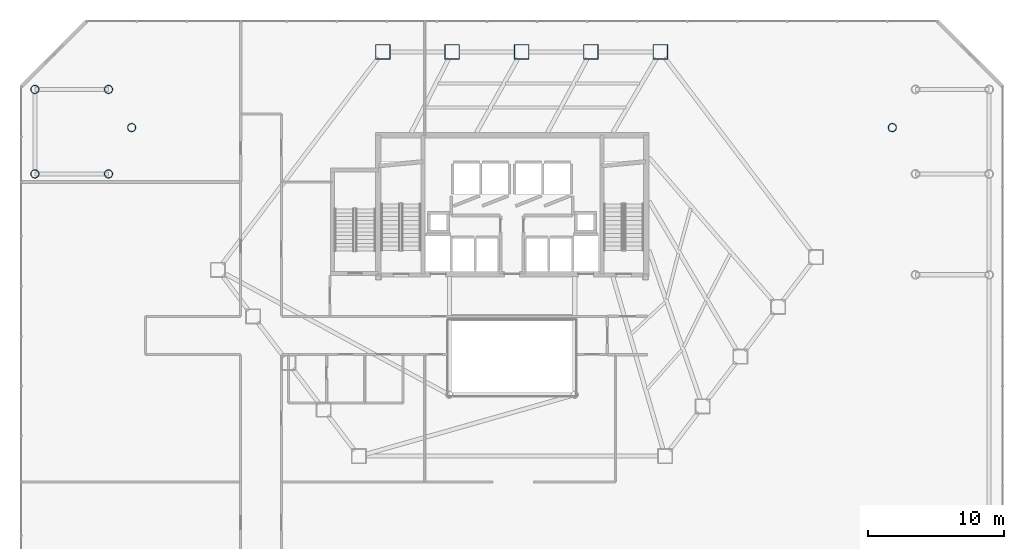
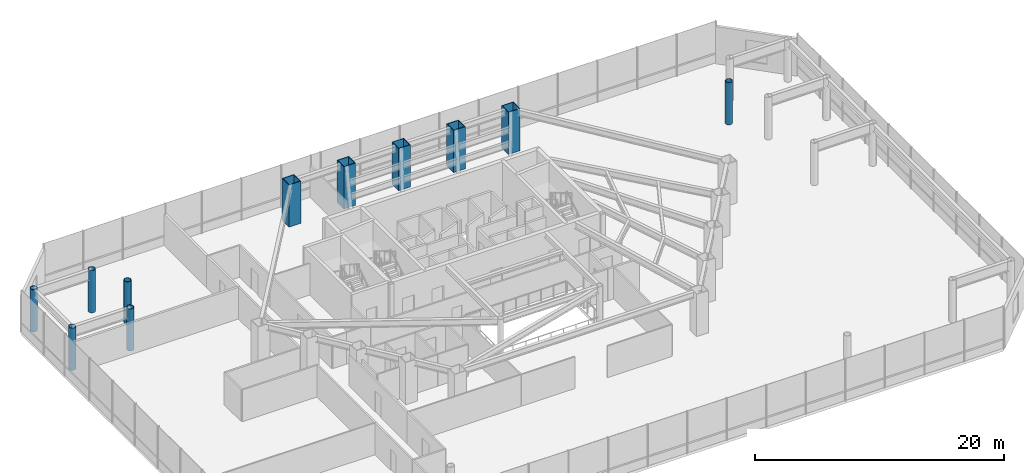
# One storey, part 2 of 37: 11 columns.
"""IFC4 building model written with IfcOpenShell, lengths in metres."""

import ifcopenshell
import ifcopenshell.guid

model = None  # the IFC model being written
_history = None  # IfcOwnerHistory: only IFC2X3 demands one
_inside = {}  # id of a spatial element -> (the spatial element, [elements in it])
_under = {}  # id of a project, library or spatial element -> (it, [spatial elements below it])
_declared = {}  # id of a project -> (the project, [libraries it declares])
_typed = {}  # id of a type object -> (the type object, [elements of that type])
_made_of = {}  # id of a material, layer set ... -> (it, [elements and type objects made of it])


def new_model(schema):
    """Start an empty IFC model of exactly this schema.

    Asked for "IFC4X3", IfcOpenShell would pick the latest addendum, in which some entities
    have other attributes; the version numbers below select the first issue.
    IFC2X3 requires an IfcOwnerHistory on every rooted entity: one is made here for all.
    """
    global model, _history
    if schema == "IFC4X3":
        model = ifcopenshell.file(schema_version=(4, 3, 0, 0))
    else:
        model = ifcopenshell.file(schema=schema)
    _inside.clear()
    _under.clear()
    _declared.clear()
    _typed.clear()
    _made_of.clear()
    _history = None
    if model.schema == "IFC2X3":
        org = make("IfcOrganization", Name="unknown")
        user = make(
            "IfcPersonAndOrganization",
            ThePerson=make("IfcPerson", FamilyName="unknown"),
            TheOrganization=org,
        )
        app = make(
            "IfcApplication",
            ApplicationDeveloper=org,
            Version="unknown",
            ApplicationFullName="unknown",
            ApplicationIdentifier="unknown",
        )
        _history = make(
            "IfcOwnerHistory",
            OwningUser=user,
            OwningApplication=app,
            ChangeAction="ADDED",
            CreationDate=0,
        )
    return model


def make(cls, **values):
    """One entity of the class cls with the attributes given. An attribute that is None is left unset."""
    return model.create_entity(
        cls, **{name: value for name, value in values.items() if value is not None}
    )


def rooted(cls, **values):
    """An entity with a GlobalId (a new one), such as an element, a storey or a relation."""
    return make(cls, GlobalId=ifcopenshell.guid.new(), OwnerHistory=_history, **values)


def si_unit(unit_type, name, prefix=None):
    """IfcSIUnit, for example si_unit("LENGTHUNIT", "METRE", prefix="MILLI")."""
    return make("IfcSIUnit", UnitType=unit_type, Prefix=prefix, Name=name)


def assignment(units):
    """IfcUnitAssignment: the units of a project."""
    return None if units is None else make("IfcUnitAssignment", Units=units)


def point(xyz):
    """IfcCartesianPoint."""
    return None if xyz is None else make("IfcCartesianPoint", Coordinates=xyz)


def direction(xyz):
    """IfcDirection."""
    return None if xyz is None else make("IfcDirection", DirectionRatios=xyz)


def frame(location, z_axis=None, x_axis=None):
    """IfcAxis2Placement3D, a coordinate frame: its origin and axes. An axis left out is left unset."""
    return make(
        "IfcAxis2Placement3D",
        Location=point(location),
        Axis=direction(z_axis),
        RefDirection=direction(x_axis),
    )


def frame_2d(location, x_axis=None):
    """IfcAxis2Placement2D, a coordinate frame in the plane: its origin and x axis."""
    return make(
        "IfcAxis2Placement2D", Location=point(location), RefDirection=direction(x_axis)
    )


def origin():
    """The frame at (0, 0, 0) with its axes left unset."""
    return frame((0.0, 0.0, 0.0))


def origin_2d():
    """The frame at (0, 0) in the plane with its x axis left unset."""
    return frame_2d((0.0, 0.0))


def place(relative_to, where):
    """IfcLocalPlacement: puts the frame where relative to a parent placement (None: the world)."""
    return make(
        "IfcLocalPlacement", PlacementRelTo=relative_to, RelativePlacement=where
    )


def context(
    kind, dimensions, precision=None, world=None, true_north=None, identifier=None
):
    """IfcGeometricRepresentationContext, for example the 3D "Model" context."""
    return make(
        "IfcGeometricRepresentationContext",
        ContextIdentifier=identifier,
        ContextType=kind,
        CoordinateSpaceDimension=dimensions,
        Precision=precision,
        WorldCoordinateSystem=world,
        TrueNorth=true_north,
    )


def subcontext(parent, identifier, kind, view, scale=None):
    """IfcGeometricRepresentationSubContext, for example "Body" below "Model"."""
    return make(
        "IfcGeometricRepresentationSubContext",
        ContextIdentifier=identifier,
        ContextType=kind,
        ParentContext=parent,
        TargetScale=scale,
        TargetView=view,
    )


def project(units=None, contexts=None):
    """IfcProject with its units and contexts."""
    return rooted(
        "IfcProject",
        Name="project",
        RepresentationContexts=contexts,
        UnitsInContext=assignment(units),
    )


def spatial(cls, under=None, at=None, **own):
    """A site, building, storey or space (cls), placed at a placement, below another one or the project."""
    s = rooted(cls, ObjectPlacement=at, **own)
    if under is not None:
        _under.setdefault(under.id(), (under, []))[1].append(s)
    return s


def profile(cls, at=None, kind="AREA", **sizes):
    """A parametric profile (cls). Its sizes go by their IFC names, for example OverallWidth=200.0."""
    return make(cls, ProfileType=kind, Position=at, **sizes)


def hollow_rectangle(**sizes):
    """IfcRectangleHollowProfileDef."""
    return profile("IfcRectangleHollowProfileDef", **sizes)


def hollow_circle(**sizes):
    """IfcCircleHollowProfileDef."""
    return profile("IfcCircleHollowProfileDef", **sizes)


def extrude(swept, where, along, depth):
    """IfcExtrudedAreaSolid: the profile swept, set in the frame where, extruded along a direction by depth."""
    return make(
        "IfcExtrudedAreaSolid",
        SweptArea=swept,
        Position=where,
        ExtrudedDirection=direction(along),
        Depth=depth,
    )


def shape(context_of_items, identifier, shape_type, items):
    """IfcShapeRepresentation: the items that make up one representation, for example the "Body"."""
    return make(
        "IfcShapeRepresentation",
        ContextOfItems=context_of_items,
        RepresentationIdentifier=identifier,
        RepresentationType=shape_type,
        Items=items,
    )


def material(Name=None, Category=None):
    """IfcMaterial."""
    return make("IfcMaterial", Name=Name, Category=Category)


def material_profile(
    of_material, cross_section, Name=None, Category=None, Priority=None
):
    """IfcMaterialProfile: a cross section and its material."""
    return make(
        "IfcMaterialProfile",
        Name=Name,
        Material=of_material,
        Profile=cross_section,
        Priority=Priority,
        Category=Category,
    )


def profile_set(profiles, Name=None, composite=None):
    """IfcMaterialProfileSet."""
    return make(
        "IfcMaterialProfileSet",
        Name=Name,
        MaterialProfiles=profiles,
        CompositeProfile=composite,
    )


def made_of(thing, what):
    """Note that an element or type object is made of a material, layer set ...; save() writes the relation."""
    if what is not None:
        _made_of.setdefault(what.id(), (what, []))[1].append(thing)
    return thing


def type_object(cls, material=None, **own):
    """A type object (cls), such as IfcWallType, which elements share."""
    return made_of(rooted(cls, **own), material)


def element(
    cls,
    number,
    at=None,
    inside=None,
    cuts=None,
    type_object=None,
    material=None,
    context=None,
    identifier="Body",
    shape_type=None,
    held_by="IfcProductDefinitionShape",
    body=None,
    shapes=None,
    **own,
):
    """One element of the class cls, such as IfcWall. Its Tag is "e" and its number.

    at: its placement. inside: the storey or other place that contains it. cuts: it is an
    opening in that element (IfcRelVoidsElement). A single representation is given by context,
    identifier, shape_type and body (its items); several are given by shapes. held_by: the class
    of the entity that holds the representations. save() writes the other relations.
    """
    e = rooted(cls, Tag="e%d" % number, ObjectPlacement=at, **own)
    if body is not None:
        shapes = [shape(context, identifier, shape_type, body)]
    if shapes is not None:
        e.Representation = make(held_by, Representations=shapes)
    if inside is not None:
        _inside.setdefault(inside.id(), (inside, []))[1].append(e)
    if cuts is not None:
        rooted(
            "IfcRelVoidsElement", RelatingBuildingElement=cuts, RelatedOpeningElement=e
        )
    if type_object is not None:
        _typed.setdefault(type_object.id(), (type_object, []))[1].append(e)
    return made_of(e, material)


def aggregate(whole, parts):
    """IfcRelAggregates: a whole, such as a stair, and the parts it consists of."""
    return rooted("IfcRelAggregates", RelatingObject=whole, RelatedObjects=parts)


def save(model, path):
    """Write the relations noted so far, then the file.

    IfcRelAggregates (storeys below a building ...), IfcRelContainedInSpatialStructure (elements
    in a storey), IfcRelDefinesByType, IfcRelAssociatesMaterial and IfcRelDeclares: one each for
    every whole, place, type object, material and project.
    """
    for whole, parts in _under.values():
        aggregate(whole, parts)
    for where, things in _inside.values():
        rooted(
            "IfcRelContainedInSpatialStructure",
            RelatedElements=things,
            RelatingStructure=where,
        )
    for kind, things in _typed.values():
        rooted("IfcRelDefinesByType", RelatedObjects=things, RelatingType=kind)
    for what, things in _made_of.values():
        rooted("IfcRelAssociatesMaterial", RelatedObjects=things, RelatingMaterial=what)
    for by, libraries in _declared.values():
        rooted("IfcRelDeclares", RelatingContext=by, RelatedDefinitions=libraries)
    model.write(path)


model = new_model("IFC4")

# Units and contexts
model_context = context("Model", 3, precision=1e-05, world=origin(), true_north=direction((0.0, 1.0)))
body_context = subcontext(model_context, "Body", "Model", "MODEL_VIEW")
ifc_project = project(units=[si_unit("LENGTHUNIT", "METRE"), si_unit("AREAUNIT", "SQUARE_METRE"), si_unit("VOLUMEUNIT", "CUBIC_METRE"), si_unit("PLANEANGLEUNIT", "RADIAN"), si_unit("MASSUNIT", "GRAM", prefix="KILO")], contexts=[model_context])

# Site, building, storey
site_placement = place(None, origin())
site = spatial("IfcSite", under=ifc_project, at=site_placement, CompositionType="ELEMENT")
building_placement = place(site_placement, origin())
building = spatial("IfcBuilding", under=site, at=building_placement, Name="Zarrinselat Tower", CompositionType="ELEMENT")
storey_placement = place(building_placement, frame((0.0, 0.0, 9.52001953125)))
storey = spatial("IfcBuildingStorey", under=building, at=storey_placement, Name="L02", CompositionType="ELEMENT", Elevation=9.52001953125)

# Columns
ifc_material_1 = material(Name="Steel S355J2", Category="steel")
ifc_material_profile_1 = material_profile(ifc_material_1, hollow_circle(Radius=0.304931640625, WallThickness=0.02490234375, at=origin_2d()), Name="CHS 610x25")
ifc_profile_set_1 = profile_set([ifc_material_profile_1], Name="Steel S355J2")
column_type_1 = type_object("IfcColumnType", Name="COL-CHS610", PredefinedType="COLUMN", material=ifc_profile_set_1)
for number, where, z_axis, x_axis, name in (
    (1, (10.5, 44.0, 0.0), (0.0, 0.0, 1.0), (1.0, 0.0, 0.0), "L02 Garden Deck Support Column 3"),
    (2, (66.300048828125, 44.0, 0.0), (0.0, 0.0, 1.0), (1.0, 0.0, 0.0), "L02 Garden Deck Support Column 4"),
    (3, (3.39990234375, 40.60009765625, 0.0), (0.0, 0.0, 1.0), (1.0, 0.0, 0.0), "L02 Podium Outer Column W-40"),
    (4, (8.800048828125, 40.60009765625, 0.0), (0.0, 0.0, 1.0), (1.0, 0.0, 0.0), "L02 Podium Anchor Column W-40"),
    (5, (3.39990234375, 46.800048828125, 0.0), (0.0, 0.0, 1.0), (1.0, 0.0, 0.0), "L02 Podium Outer Column W-46"),
    (6, (8.800048828125, 46.800048828125, 0.0), (0.0, 0.0, 1.0), (1.0, 0.0, 0.0), "L02 Podium Anchor Column W-46"),
):
    element("IfcColumn", number, at=place(storey_placement, frame(where, z_axis=z_axis, x_axis=x_axis)), inside=storey, type_object=column_type_1, Name=name, PredefinedType="COLUMN", context=body_context, shape_type="SweptSolid", body=[
        extrude(hollow_circle(Radius=0.304931640625, WallThickness=0.02490234375, at=origin_2d()), origin(), (0.0, 0.0, 1.0), 4.139892578125),
    ])
ifc_material_2 = material(Name="Steel S460M", Category="steel")
ifc_material_profile_2 = material_profile(ifc_material_2, hollow_rectangle(XDim=1.10009765625, YDim=1.10009765625, WallThickness=0.054931640625, at=origin_2d()), Name="SHS 1100x1100x55")
ifc_profile_set_2 = profile_set([ifc_material_profile_2], Name="Steel S460M")
column_type_2 = type_object("IfcColumnType", Name="COL-SHS1100", PredefinedType="COLUMN", material=ifc_profile_set_2)
for number, where, z_axis, x_axis, name in (
    (7, (49.277099609375, 49.550048828125, 0.0), (0.0, 0.0, 1.0), (1.0, 0.0, 0.0), "L02 Framed-Tube Column T01"),
    (8, (44.1884765625, 49.550048828125, 0.0), (0.0, 0.0, 1.0), (1.0, 0.0, 0.0), "L02 Framed-Tube Column T02"),
    (9, (39.10009765625, 49.550048828125, 0.0), (0.0, 0.0, 1.0), (1.0, 0.0, 0.0), "L02 Framed-Tube Column T03"),
    (10, (34.011474609375, 49.550048828125, 0.0), (0.0, 0.0, 1.0), (1.0, 0.0, 0.0), "L02 Framed-Tube Column T04"),
    (11, (28.923095703125, 49.550048828125, 0.0), (0.0, 0.0, 1.0), (1.0, 0.0, 0.0), "L02 Framed-Tube Column T05"),
):
    element("IfcColumn", number, at=place(storey_placement, frame(where, z_axis=z_axis, x_axis=x_axis)), inside=storey, type_object=column_type_2, Name=name, PredefinedType="COLUMN", context=body_context, shape_type="SweptSolid", body=[
        extrude(hollow_rectangle(XDim=1.10009765625, YDim=1.10009765625, WallThickness=0.054931640625, at=origin_2d()), origin(), (0.0, 0.0, 1.0), 4.139892578125),
    ])

save(model, "model.ifc")
